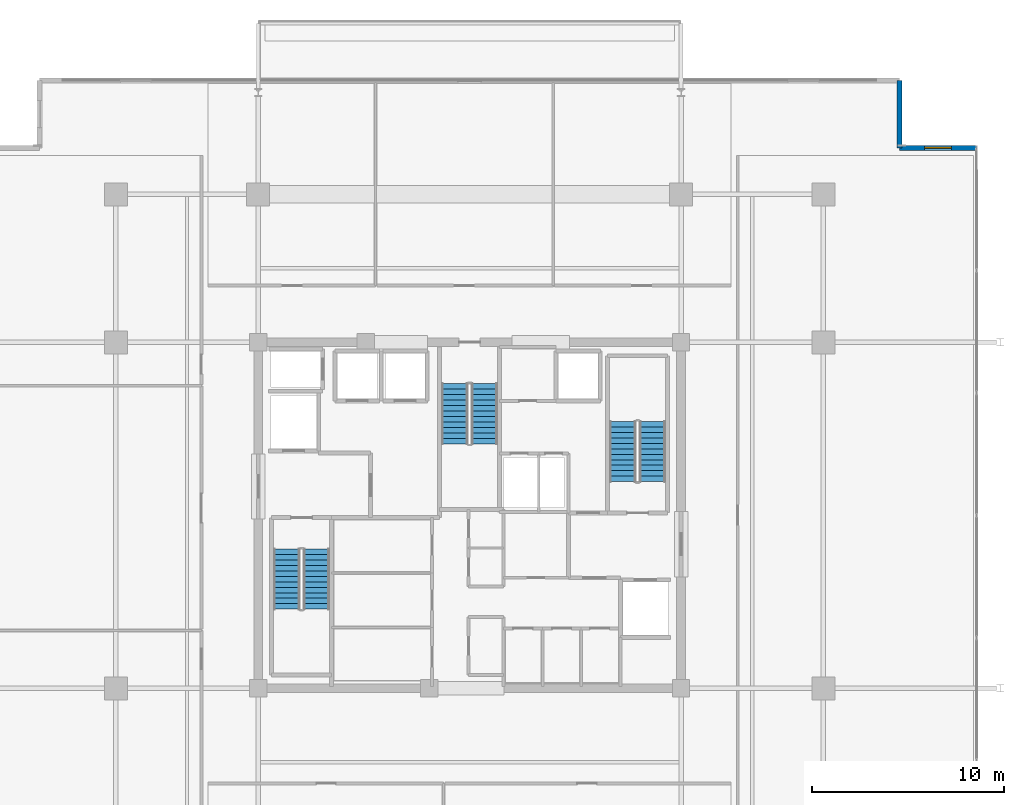
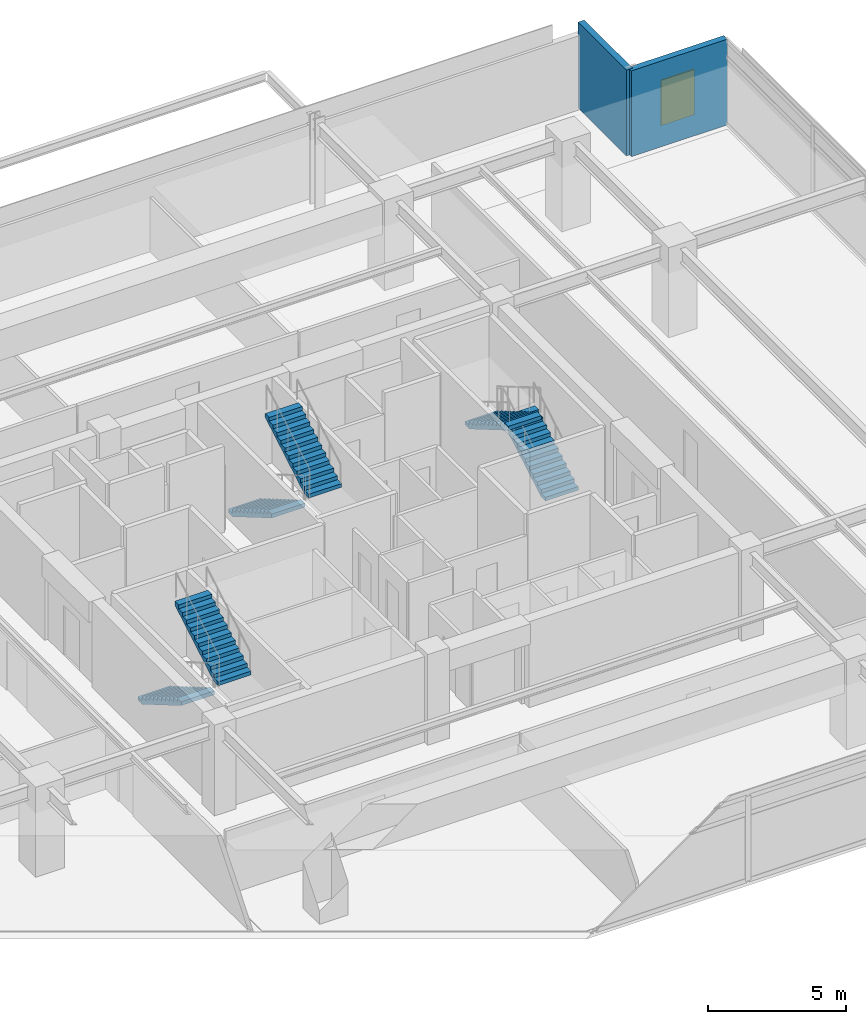
# One storey, part 18 of 21: 6 stair flights, 2 walls, 1 window, 1 opening, 3 elements without a shape of their own.
"""IFC4 building model written with IfcOpenShell, lengths in metres."""

import ifcopenshell
import ifcopenshell.guid

model = None  # the IFC model being written
_history = None  # IfcOwnerHistory: only IFC2X3 demands one
_inside = {}  # id of a spatial element -> (the spatial element, [elements in it])
_under = {}  # id of a project, library or spatial element -> (it, [spatial elements below it])
_declared = {}  # id of a project -> (the project, [libraries it declares])
_typed = {}  # id of a type object -> (the type object, [elements of that type])
_made_of = {}  # id of a material, layer set ... -> (it, [elements and type objects made of it])


def new_model(schema):
    """Start an empty IFC model of exactly this schema.

    Asked for "IFC4X3", IfcOpenShell would pick the latest addendum, in which some entities
    have other attributes; the version numbers below select the first issue.
    IFC2X3 requires an IfcOwnerHistory on every rooted entity: one is made here for all.
    """
    global model, _history
    if schema == "IFC4X3":
        model = ifcopenshell.file(schema_version=(4, 3, 0, 0))
    else:
        model = ifcopenshell.file(schema=schema)
    _inside.clear()
    _under.clear()
    _declared.clear()
    _typed.clear()
    _made_of.clear()
    _history = None
    if model.schema == "IFC2X3":
        org = make("IfcOrganization", Name="unknown")
        user = make(
            "IfcPersonAndOrganization",
            ThePerson=make("IfcPerson", FamilyName="unknown"),
            TheOrganization=org,
        )
        app = make(
            "IfcApplication",
            ApplicationDeveloper=org,
            Version="unknown",
            ApplicationFullName="unknown",
            ApplicationIdentifier="unknown",
        )
        _history = make(
            "IfcOwnerHistory",
            OwningUser=user,
            OwningApplication=app,
            ChangeAction="ADDED",
            CreationDate=0,
        )
    return model


def make(cls, **values):
    """One entity of the class cls with the attributes given. An attribute that is None is left unset."""
    return model.create_entity(
        cls, **{name: value for name, value in values.items() if value is not None}
    )


def rooted(cls, **values):
    """An entity with a GlobalId (a new one), such as an element, a storey or a relation."""
    return make(cls, GlobalId=ifcopenshell.guid.new(), OwnerHistory=_history, **values)


def si_unit(unit_type, name, prefix=None):
    """IfcSIUnit, for example si_unit("LENGTHUNIT", "METRE", prefix="MILLI")."""
    return make("IfcSIUnit", UnitType=unit_type, Prefix=prefix, Name=name)


def assignment(units):
    """IfcUnitAssignment: the units of a project."""
    return None if units is None else make("IfcUnitAssignment", Units=units)


def point(xyz):
    """IfcCartesianPoint."""
    return None if xyz is None else make("IfcCartesianPoint", Coordinates=xyz)


def direction(xyz):
    """IfcDirection."""
    return None if xyz is None else make("IfcDirection", DirectionRatios=xyz)


def frame(location, z_axis=None, x_axis=None):
    """IfcAxis2Placement3D, a coordinate frame: its origin and axes. An axis left out is left unset."""
    return make(
        "IfcAxis2Placement3D",
        Location=point(location),
        Axis=direction(z_axis),
        RefDirection=direction(x_axis),
    )


def frame_2d(location, x_axis=None):
    """IfcAxis2Placement2D, a coordinate frame in the plane: its origin and x axis."""
    return make(
        "IfcAxis2Placement2D", Location=point(location), RefDirection=direction(x_axis)
    )


def origin():
    """The frame at (0, 0, 0) with its axes left unset."""
    return frame((0.0, 0.0, 0.0))


def place(relative_to, where):
    """IfcLocalPlacement: puts the frame where relative to a parent placement (None: the world)."""
    return make(
        "IfcLocalPlacement", PlacementRelTo=relative_to, RelativePlacement=where
    )


def context(
    kind, dimensions, precision=None, world=None, true_north=None, identifier=None
):
    """IfcGeometricRepresentationContext, for example the 3D "Model" context."""
    return make(
        "IfcGeometricRepresentationContext",
        ContextIdentifier=identifier,
        ContextType=kind,
        CoordinateSpaceDimension=dimensions,
        Precision=precision,
        WorldCoordinateSystem=world,
        TrueNorth=true_north,
    )


def subcontext(parent, identifier, kind, view, scale=None):
    """IfcGeometricRepresentationSubContext, for example "Body" below "Model"."""
    return make(
        "IfcGeometricRepresentationSubContext",
        ContextIdentifier=identifier,
        ContextType=kind,
        ParentContext=parent,
        TargetScale=scale,
        TargetView=view,
    )


def project(units=None, contexts=None):
    """IfcProject with its units and contexts."""
    return rooted(
        "IfcProject",
        Name="project",
        RepresentationContexts=contexts,
        UnitsInContext=assignment(units),
    )


def spatial(cls, under=None, at=None, **own):
    """A site, building, storey or space (cls), placed at a placement, below another one or the project."""
    s = rooted(cls, ObjectPlacement=at, **own)
    if under is not None:
        _under.setdefault(under.id(), (under, []))[1].append(s)
    return s


def polyline(points):
    """IfcPolyline through the points."""
    return make("IfcPolyline", Points=[point(p) for p in points])


def profile(cls, at=None, kind="AREA", **sizes):
    """A parametric profile (cls). Its sizes go by their IFC names, for example OverallWidth=200.0."""
    return make(cls, ProfileType=kind, Position=at, **sizes)


def rectangle(**sizes):
    """IfcRectangleProfileDef."""
    return profile("IfcRectangleProfileDef", **sizes)


def outline(outer, holes=None, kind="AREA"):
    """IfcArbitraryClosedProfileDef: a profile drawn as a closed curve; with holes, ...WithVoids."""
    if holes is None:
        return make("IfcArbitraryClosedProfileDef", ProfileType=kind, OuterCurve=outer)
    return make(
        "IfcArbitraryProfileDefWithVoids",
        ProfileType=kind,
        OuterCurve=outer,
        InnerCurves=holes,
    )


def extrude(swept, where, along, depth):
    """IfcExtrudedAreaSolid: the profile swept, set in the frame where, extruded along a direction by depth."""
    return make(
        "IfcExtrudedAreaSolid",
        SweptArea=swept,
        Position=where,
        ExtrudedDirection=direction(along),
        Depth=depth,
    )


def shape(context_of_items, identifier, shape_type, items):
    """IfcShapeRepresentation: the items that make up one representation, for example the "Body"."""
    return make(
        "IfcShapeRepresentation",
        ContextOfItems=context_of_items,
        RepresentationIdentifier=identifier,
        RepresentationType=shape_type,
        Items=items,
    )


def material(Name=None, Category=None):
    """IfcMaterial."""
    return make("IfcMaterial", Name=Name, Category=Category)


def layer(
    of_material, thickness, ventilated=None, Name=None, Category=None, Priority=None
):
    """IfcMaterialLayer: one layer of a wall or slab, of a material (None: an air gap)."""
    return make(
        "IfcMaterialLayer",
        Material=of_material,
        LayerThickness=thickness,
        IsVentilated=ventilated,
        Name=Name,
        Category=Category,
        Priority=Priority,
    )


def layer_set(layers, Name=None):
    """IfcMaterialLayerSet."""
    return make("IfcMaterialLayerSet", MaterialLayers=layers, LayerSetName=Name)


def made_of(thing, what):
    """Note that an element or type object is made of a material, layer set ...; save() writes the relation."""
    if what is not None:
        _made_of.setdefault(what.id(), (what, []))[1].append(thing)
    return thing


def type_object(cls, material=None, **own):
    """A type object (cls), such as IfcWallType, which elements share."""
    return made_of(rooted(cls, **own), material)


def element(
    cls,
    number,
    at=None,
    inside=None,
    cuts=None,
    type_object=None,
    material=None,
    context=None,
    identifier="Body",
    shape_type=None,
    held_by="IfcProductDefinitionShape",
    body=None,
    shapes=None,
    **own,
):
    """One element of the class cls, such as IfcWall. Its Tag is "e" and its number.

    at: its placement. inside: the storey or other place that contains it. cuts: it is an
    opening in that element (IfcRelVoidsElement). A single representation is given by context,
    identifier, shape_type and body (its items); several are given by shapes. held_by: the class
    of the entity that holds the representations. save() writes the other relations.
    """
    e = rooted(cls, Tag="e%d" % number, ObjectPlacement=at, **own)
    if body is not None:
        shapes = [shape(context, identifier, shape_type, body)]
    if shapes is not None:
        e.Representation = make(held_by, Representations=shapes)
    if inside is not None:
        _inside.setdefault(inside.id(), (inside, []))[1].append(e)
    if cuts is not None:
        rooted(
            "IfcRelVoidsElement", RelatingBuildingElement=cuts, RelatedOpeningElement=e
        )
    if type_object is not None:
        _typed.setdefault(type_object.id(), (type_object, []))[1].append(e)
    return made_of(e, material)


def fill(opening, filler):
    """IfcRelFillsElement: the door or window that sits in an opening."""
    return rooted(
        "IfcRelFillsElement",
        RelatingOpeningElement=opening,
        RelatedBuildingElement=filler,
    )


def aggregate(whole, parts):
    """IfcRelAggregates: a whole, such as a stair, and the parts it consists of."""
    return rooted("IfcRelAggregates", RelatingObject=whole, RelatedObjects=parts)


def save(model, path):
    """Write the relations noted so far, then the file.

    IfcRelAggregates (storeys below a building ...), IfcRelContainedInSpatialStructure (elements
    in a storey), IfcRelDefinesByType, IfcRelAssociatesMaterial and IfcRelDeclares: one each for
    every whole, place, type object, material and project.
    """
    for whole, parts in _under.values():
        aggregate(whole, parts)
    for where, things in _inside.values():
        rooted(
            "IfcRelContainedInSpatialStructure",
            RelatedElements=things,
            RelatingStructure=where,
        )
    for kind, things in _typed.values():
        rooted("IfcRelDefinesByType", RelatedObjects=things, RelatingType=kind)
    for what, things in _made_of.values():
        rooted("IfcRelAssociatesMaterial", RelatedObjects=things, RelatingMaterial=what)
    for by, libraries in _declared.values():
        rooted("IfcRelDeclares", RelatingContext=by, RelatedDefinitions=libraries)
    model.write(path)


model = new_model("IFC4")

# Units and contexts
model_context = context("Model", 3, precision=1e-05, world=origin(), true_north=direction((0.0, 1.0)))
body_context = subcontext(model_context, "Body", "Model", "MODEL_VIEW")
ifc_project = project(units=[si_unit("LENGTHUNIT", "METRE"), si_unit("AREAUNIT", "SQUARE_METRE"), si_unit("VOLUMEUNIT", "CUBIC_METRE"), si_unit("PLANEANGLEUNIT", "RADIAN"), si_unit("MASSUNIT", "GRAM", prefix="KILO")], contexts=[model_context])

# Site, building, storey
site_placement = place(None, origin())
site = spatial("IfcSite", under=ifc_project, at=site_placement, CompositionType="ELEMENT")
building_placement = place(site_placement, origin())
building = spatial("IfcBuilding", under=site, at=building_placement, Name="Kovane Verandah Tower", CompositionType="ELEMENT")
storey_placement = place(building_placement, frame((0.0, 0.0, 247.199951171875)))
storey = spatial("IfcBuildingStorey", under=building, at=storey_placement, Name="L57", CompositionType="ELEMENT", Elevation=247.199951171875)

# Wall, opening, window
ifc_material_1 = material(Name="Concrete C45/55 Insulated Spandrel Wall", Category="concrete")
ifc_layer = layer(ifc_material_1, 0.260009765625)
ifc_layer_set = layer_set([ifc_layer], Name="Concrete C45/55 Insulated Spandrel Wall")
wall_type = type_object("IfcWallType", Name="WL-SPANDREL-260", PredefinedType="PARAPET", material=ifc_layer_set)
wall_1_placement = place(storey_placement, frame((66.366455078125, 46.6181640625, 0.0), z_axis=(0.0, 0.0, 1.0), x_axis=(-1.0, 0.0, 0.0)))
wall_1 = element("IfcWall", 1, at=wall_1_placement, inside=storey, type_object=wall_type, Name="L57 NE Notch Cheek Wall 1", PredefinedType="PARAPET", context=body_context, shape_type="SweptSolid", body=[
    extrude(rectangle(XDim=4.0, YDim=0.260009765625, at=frame_2d((2.0, 0.0))), origin(), (0.0, 0.0, 1.0), 3.78515625),
])
opening_placement = place(wall_1_placement, frame((1.300048828125, 0.0, 0.85009765625)))
opening = element("IfcOpeningElement", 2, at=opening_placement, cuts=wall_1, Name="Opening W-01", PredefinedType="OPENING", context=body_context, shape_type="SweptSolid", body=[
    extrude(rectangle(XDim=1.39990234375, YDim=2.0, at=frame_2d((0.699951171875, 1.0))), frame((0.0, 0.1298828125, 0.0), z_axis=(0.0, -1.0, 0.0), x_axis=(1.0, 0.0, 0.0)), (0.0, 0.0, 1.0), 0.260009765625),
])
ifc_material_2 = material(Name="Clear Low-E Laminated Double Glazing in Anodised Frame", Category="glass")
window_type = type_object("IfcWindowType", Name="WN-OPER-1400x2000", PartitioningType="SINGLE_PANEL", PredefinedType="WINDOW", material=ifc_material_2)
window_placement = place(opening_placement, origin())
window = element("IfcWindow", 3, at=window_placement, inside=storey, type_object=window_type, Name="L57 NE Re-Entrant Corner Operable Window", OverallHeight=2.0, OverallWidth=1.39990234375, PartitioningType="SINGLE_PANEL", PredefinedType="WINDOW", context=body_context, shape_type="SweptSolid", body=[
    extrude(rectangle(XDim=1.39990234375, YDim=2.0, at=frame_2d((0.699951171875, 1.0))), frame((0.0, 0.030029296875, 0.0), z_axis=(0.0, -1.0, 0.0), x_axis=(1.0, 0.0, 0.0)), (0.0, 0.0, 1.0), 0.06005859375),
])
fill(opening, window)

# Wall
wall_2_placement = place(storey_placement, frame((62.366455078125, 46.6181640625, 0.0), z_axis=(0.0, 0.0, 1.0), x_axis=(0.0, 1.0, 0.0)))
element("IfcWall", 4, at=wall_2_placement, inside=storey, type_object=wall_type, Name="L57 NE Notch Cheek Wall 2", PredefinedType="PARAPET", context=body_context, shape_type="SweptSolid", body=[
    extrude(rectangle(XDim=3.5, YDim=0.260009765625, at=frame_2d((1.75, 0.0))), origin(), (0.0, 0.0, 1.0), 3.78515625),
])

# Stair, stair flights
ifc_material_3 = material(Name="Concrete C45/55", Category="concrete")
stair_type = type_object("IfcStairType", Name="ST-CORE-1380", PredefinedType="HALF_TURN_STAIR", material=ifc_material_3)
stair_1_placement = place(storey_placement, origin())
stair_1 = element("IfcStair", 5, at=stair_1_placement, inside=storey, type_object=stair_type, Name="L57 Exit Stair ST-01", PredefinedType="HALF_TURN_STAIR")
stair_flight_type = type_object("IfcStairFlightType", Name="STF-CORE-1380", PredefinedType="STRAIGHT", material=ifc_material_3)
stair_flight_1_placement = place(storey_placement, frame((30.489990234375, 25.75, 0.0), z_axis=(0.0, 0.0, 1.0), x_axis=(0.0, -1.0, 0.0)))
stair_flight_1 = element("IfcStairFlight", 6, at=stair_flight_1_placement, type_object=stair_flight_type, Name="ST-01 flight 1", NumberOfRisers=12, NumberOfTreads=11, PredefinedType="STRAIGHT", RiserHeight=0.166666667, TreadLength=0.285, context=body_context, shape_type="SweptSolid", body=[
    extrude(outline(polyline([(0.0, 0.0), (0.0, 0.166748046875), (0.284912109375, 0.166748046875), (0.284912109375, 0.333251953125), (0.570068359375, 0.333251953125), (0.570068359375, 0.5), (0.85498046875, 0.5), (0.85498046875, 0.666748046875), (1.139892578125, 0.666748046875), (1.139892578125, 0.833251953125), (1.425048828125, 0.833251953125), (1.425048828125, 1.0), (1.7099609375, 1.0), (1.7099609375, 1.166748046875), (1.9951171875, 1.166748046875), (1.9951171875, 1.333251953125), (2.280029296875, 1.333251953125), (2.280029296875, 1.5), (2.56494140625, 1.5), (2.56494140625, 1.666748046875), (2.85009765625, 1.666748046875), (2.85009765625, 1.833251953125), (3.135009765625, 1.833251953125), (3.135009765625, 2.0), (3.135009765625, 1.65966796875), (0.296875, 0.0), (0.0, 0.0)])), frame((0.0, 0.68994140625, 0.0), z_axis=(0.0, -1.0, 0.0), x_axis=(1.0, 0.0, 0.0)), (0.0, 0.0, 1.0), 1.3798828125),
])
stair_flight_2_placement = place(storey_placement, frame((32.030029296875, 22.614990234375, 2.0), z_axis=(0.0, 0.0, 1.0), x_axis=(0.0, 1.0, 0.0)))
stair_flight_2 = element("IfcStairFlight", 7, at=stair_flight_2_placement, type_object=stair_flight_type, Name="ST-01 flight 2", NumberOfRisers=12, NumberOfTreads=11, PredefinedType="STRAIGHT", RiserHeight=0.166666667, TreadLength=0.285, context=body_context, shape_type="SweptSolid", body=[
    extrude(outline(polyline([(0.0, 0.0), (0.0, 0.166748046875), (0.284912109375, 0.166748046875), (0.284912109375, 0.333251953125), (0.570068359375, 0.333251953125), (0.570068359375, 0.5), (0.85498046875, 0.5), (0.85498046875, 0.666748046875), (1.139892578125, 0.666748046875), (1.139892578125, 0.833251953125), (1.425048828125, 0.833251953125), (1.425048828125, 1.0), (1.7099609375, 1.0), (1.7099609375, 1.166748046875), (1.9951171875, 1.166748046875), (1.9951171875, 1.333251953125), (2.280029296875, 1.333251953125), (2.280029296875, 1.5), (2.56494140625, 1.5), (2.56494140625, 1.666748046875), (2.85009765625, 1.666748046875), (2.85009765625, 1.833251953125), (3.135009765625, 1.833251953125), (3.135009765625, 2.0), (3.135009765625, 1.65966796875), (0.296875, 0.0), (0.0, 0.0)])), frame((0.0, 0.68994140625, 0.0), z_axis=(0.0, -1.0, 0.0), x_axis=(1.0, 0.0, 0.0)), (0.0, 0.0, 1.0), 1.3798828125),
])
aggregate(stair_1, [stair_flight_1, stair_flight_2])

stair_2_placement = place(storey_placement, origin())
stair_2 = element("IfcStair", 8, at=stair_2_placement, inside=storey, type_object=stair_type, Name="L57 Exit Stair ST-02", PredefinedType="HALF_TURN_STAIR")
stair_flight_3_placement = place(storey_placement, frame((49.510009765625, 29.25, 0.0), z_axis=(0.0, 0.0, 1.0), x_axis=(0.0, 1.0, 0.0)))
stair_flight_3 = element("IfcStairFlight", 9, at=stair_flight_3_placement, type_object=stair_flight_type, Name="ST-02 flight 1", NumberOfRisers=12, NumberOfTreads=11, PredefinedType="STRAIGHT", RiserHeight=0.166666667, TreadLength=0.285, context=body_context, shape_type="SweptSolid", body=[
    extrude(outline(polyline([(0.0, 0.0), (0.0, 0.166748046875), (0.284912109375, 0.166748046875), (0.284912109375, 0.333251953125), (0.570068359375, 0.333251953125), (0.570068359375, 0.5), (0.85498046875, 0.5), (0.85498046875, 0.666748046875), (1.139892578125, 0.666748046875), (1.139892578125, 0.833251953125), (1.425048828125, 0.833251953125), (1.425048828125, 1.0), (1.7099609375, 1.0), (1.7099609375, 1.166748046875), (1.9951171875, 1.166748046875), (1.9951171875, 1.333251953125), (2.280029296875, 1.333251953125), (2.280029296875, 1.5), (2.56494140625, 1.5), (2.56494140625, 1.666748046875), (2.85009765625, 1.666748046875), (2.85009765625, 1.833251953125), (3.135009765625, 1.833251953125), (3.135009765625, 2.0), (3.135009765625, 1.65966796875), (0.296875, 0.0), (0.0, 0.0)])), frame((0.0, 0.68994140625, 0.0), z_axis=(0.0, -1.0, 0.0), x_axis=(1.0, 0.0, 0.0)), (0.0, 0.0, 1.0), 1.3798828125),
])
stair_flight_4_placement = place(storey_placement, frame((47.969970703125, 32.385009765625, 2.0), z_axis=(0.0, 0.0, 1.0), x_axis=(0.0, -1.0, 0.0)))
stair_flight_4 = element("IfcStairFlight", 10, at=stair_flight_4_placement, type_object=stair_flight_type, Name="ST-02 flight 2", NumberOfRisers=12, NumberOfTreads=11, PredefinedType="STRAIGHT", RiserHeight=0.166666667, TreadLength=0.285, context=body_context, shape_type="SweptSolid", body=[
    extrude(outline(polyline([(0.0, 0.0), (0.0, 0.166748046875), (0.284912109375, 0.166748046875), (0.284912109375, 0.333251953125), (0.570068359375, 0.333251953125), (0.570068359375, 0.5), (0.85498046875, 0.5), (0.85498046875, 0.666748046875), (1.139892578125, 0.666748046875), (1.139892578125, 0.833251953125), (1.425048828125, 0.833251953125), (1.425048828125, 1.0), (1.7099609375, 1.0), (1.7099609375, 1.166748046875), (1.9951171875, 1.166748046875), (1.9951171875, 1.333251953125), (2.280029296875, 1.333251953125), (2.280029296875, 1.5), (2.56494140625, 1.5), (2.56494140625, 1.666748046875), (2.85009765625, 1.666748046875), (2.85009765625, 1.833251953125), (3.135009765625, 1.833251953125), (3.135009765625, 2.0), (3.135009765625, 1.65966796875), (0.296875, 0.0), (0.0, 0.0)])), frame((0.0, 0.68994140625, 0.0), z_axis=(0.0, -1.0, 0.0), x_axis=(1.0, 0.0, 0.0)), (0.0, 0.0, 1.0), 1.3798828125),
])
aggregate(stair_2, [stair_flight_3, stair_flight_4])

stair_3_placement = place(storey_placement, origin())
stair_3 = element("IfcStair", 11, at=stair_3_placement, inside=storey, type_object=stair_type, Name="L57 Exit Stair ST-03", PredefinedType="HALF_TURN_STAIR")
stair_flight_5_placement = place(storey_placement, frame((39.22998046875, 34.35009765625, 0.0), z_axis=(0.0, 0.0, 1.0), x_axis=(0.0, -1.0, 0.0)))
stair_flight_5 = element("IfcStairFlight", 12, at=stair_flight_5_placement, type_object=stair_flight_type, Name="ST-03 flight 1", NumberOfRisers=12, NumberOfTreads=11, PredefinedType="STRAIGHT", RiserHeight=0.166666667, TreadLength=0.285, context=body_context, shape_type="SweptSolid", body=[
    extrude(outline(polyline([(0.0, 0.0), (0.0, 0.166748046875), (0.284912109375, 0.166748046875), (0.284912109375, 0.333251953125), (0.570068359375, 0.333251953125), (0.570068359375, 0.5), (0.85498046875, 0.5), (0.85498046875, 0.666748046875), (1.139892578125, 0.666748046875), (1.139892578125, 0.833251953125), (1.425048828125, 0.833251953125), (1.425048828125, 1.0), (1.7099609375, 1.0), (1.7099609375, 1.166748046875), (1.9951171875, 1.166748046875), (1.9951171875, 1.333251953125), (2.280029296875, 1.333251953125), (2.280029296875, 1.5), (2.56494140625, 1.5), (2.56494140625, 1.666748046875), (2.85009765625, 1.666748046875), (2.85009765625, 1.833251953125), (3.135009765625, 1.833251953125), (3.135009765625, 2.0), (3.135009765625, 1.65966796875), (0.296875, 0.0), (0.0, 0.0)])), frame((0.0, 0.68994140625, 0.0), z_axis=(0.0, -1.0, 0.0), x_axis=(1.0, 0.0, 0.0)), (0.0, 0.0, 1.0), 1.3798828125),
])
stair_flight_6_placement = place(storey_placement, frame((40.77001953125, 31.215087890625, 2.0), z_axis=(0.0, 0.0, 1.0), x_axis=(0.0, 1.0, 0.0)))
stair_flight_6 = element("IfcStairFlight", 13, at=stair_flight_6_placement, type_object=stair_flight_type, Name="ST-03 flight 2", NumberOfRisers=12, NumberOfTreads=11, PredefinedType="STRAIGHT", RiserHeight=0.166666667, TreadLength=0.285, context=body_context, shape_type="SweptSolid", body=[
    extrude(outline(polyline([(0.0, 0.0), (0.0, 0.166748046875), (0.284912109375, 0.166748046875), (0.284912109375, 0.333251953125), (0.570068359375, 0.333251953125), (0.570068359375, 0.5), (0.85498046875, 0.5), (0.85498046875, 0.666748046875), (1.139892578125, 0.666748046875), (1.139892578125, 0.833251953125), (1.425048828125, 0.833251953125), (1.425048828125, 1.0), (1.7099609375, 1.0), (1.7099609375, 1.166748046875), (1.9951171875, 1.166748046875), (1.9951171875, 1.333251953125), (2.280029296875, 1.333251953125), (2.280029296875, 1.5), (2.56494140625, 1.5), (2.56494140625, 1.666748046875), (2.85009765625, 1.666748046875), (2.85009765625, 1.833251953125), (3.135009765625, 1.833251953125), (3.135009765625, 2.0), (3.135009765625, 1.65966796875), (0.296875, 0.0), (0.0, 0.0)])), frame((0.0, 0.68994140625, 0.0), z_axis=(0.0, -1.0, 0.0), x_axis=(1.0, 0.0, 0.0)), (0.0, 0.0, 1.0), 1.3798828125),
])
aggregate(stair_3, [stair_flight_5, stair_flight_6])

save(model, "model.ifc")
